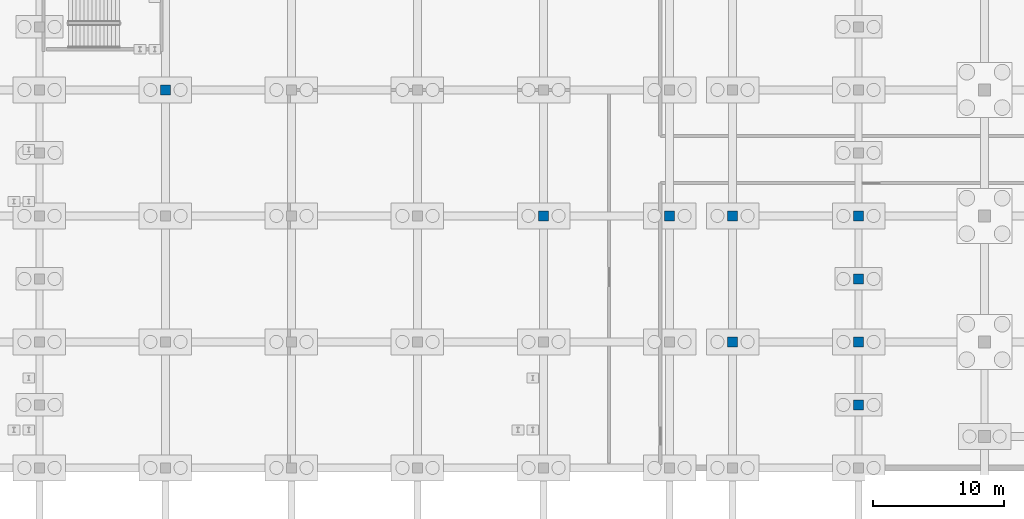
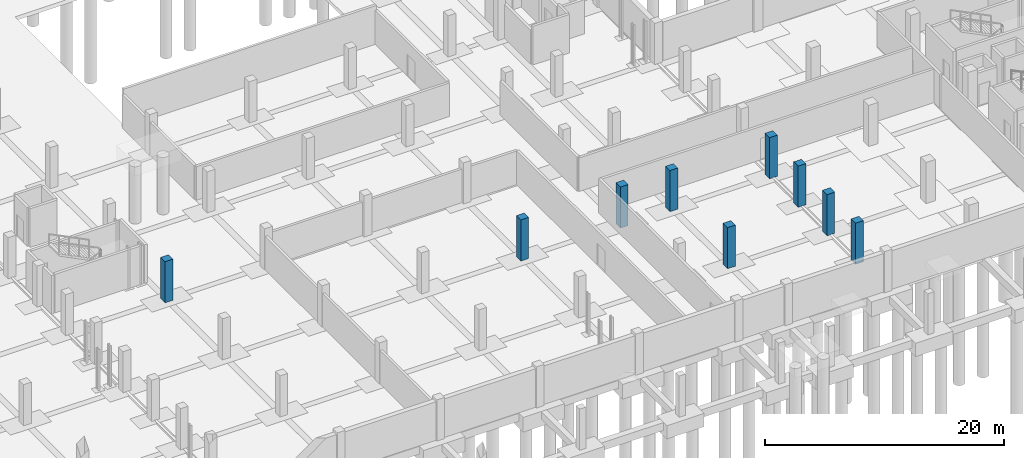
# One storey, part 18 of 54: 9 columns.
"""IFC4 building model written with IfcOpenShell, lengths in metres."""

from ifc_helpers import new_model, si_unit, direction, frame, origin, origin_2d, place, context, subcontext, project, spatial, rectangle, extrude, material, material_profile, profile_set, type_object, element, save


model = new_model("IFC4")

# Units and contexts
model_context = context("Model", 3, precision=1e-05, world=origin(), true_north=direction((0.0, 1.0)))
body_context = subcontext(model_context, "Body", "Model", "MODEL_VIEW")
ifc_project = project(units=[si_unit("LENGTHUNIT", "METRE"), si_unit("AREAUNIT", "SQUARE_METRE"), si_unit("VOLUMEUNIT", "CUBIC_METRE"), si_unit("PLANEANGLEUNIT", "RADIAN"), si_unit("MASSUNIT", "GRAM", prefix="KILO")], contexts=[model_context])

# Site, building, storey
site_placement = place(None, origin())
site = spatial("IfcSite", under=ifc_project, at=site_placement, CompositionType="ELEMENT")
building_placement = place(site_placement, origin())
building = spatial("IfcBuilding", under=site, at=building_placement, Name="Zevrakil Square Congress Hotel", CompositionType="ELEMENT")
storey_placement = place(building_placement, frame((0.0, 0.0, -8.39990234375)))
storey = spatial("IfcBuildingStorey", under=building, at=storey_placement, Name="B2", CompositionType="ELEMENT", Elevation=-8.39990234375)

# Columns
ifc_material = material(Name="Concrete C40/50", Category="concrete")
ifc_material_profile = material_profile(ifc_material, rectangle(XDim=0.75, YDim=0.75, at=origin_2d()), Name="RC 750x750")
ifc_profile_set = profile_set([ifc_material_profile], Name="Concrete C40/50")
column_type = type_object("IfcColumnType", Name="COL-RC750", PredefinedType="COLUMN", material=ifc_profile_set)
for number, where, z_axis, x_axis, name in (
    (1, (64.800048828125, 36.0, 0.0), (0.0, 0.0, 1.0), (1.0, 0.0, 0.0), "B2 column C-103"),
    (2, (93.60009765625, 26.39990234375, 0.0), (0.0, 0.0, 1.0), (1.0, 0.0, 0.0), "B2 column C-140"),
    (3, (103.199951171875, 26.39990234375, 0.0), (0.0, 0.0, 1.0), (1.0, 0.0, 0.0), "B2 column C-152"),
    (4, (108.0, 16.800048828125, 0.0), (0.0, 0.0, 1.0), (1.0, 0.0, 0.0), "B2 column C-165"),
    (5, (108.0, 26.39990234375, 0.0), (0.0, 0.0, 1.0), (1.0, 0.0, 0.0), "B2 column C-166"),
    (6, (117.60009765625, 12.0, 0.0), (0.0, 0.0, 1.0), (1.0, 0.0, 0.0), "B2 column C-179"),
    (7, (117.60009765625, 16.800048828125, 0.0), (0.0, 0.0, 1.0), (1.0, 0.0, 0.0), "B2 column C-180"),
    (8, (117.60009765625, 21.60009765625, 0.0), (0.0, 0.0, 1.0), (1.0, 0.0, 0.0), "B2 column C-181"),
    (9, (117.60009765625, 26.39990234375, 0.0), (0.0, 0.0, 1.0), (1.0, 0.0, 0.0), "B2 column C-182"),
):
    element("IfcColumn", number, at=place(storey_placement, frame(where, z_axis=z_axis, x_axis=x_axis)), inside=storey, type_object=column_type, Name=name, PredefinedType="COLUMN", context=body_context, shape_type="SweptSolid", body=[
        extrude(rectangle(XDim=0.75, YDim=0.75, at=origin_2d()), origin(), (0.0, 0.0, 1.0), 4.199951171875),
    ])

save(model, "model.ifc")
